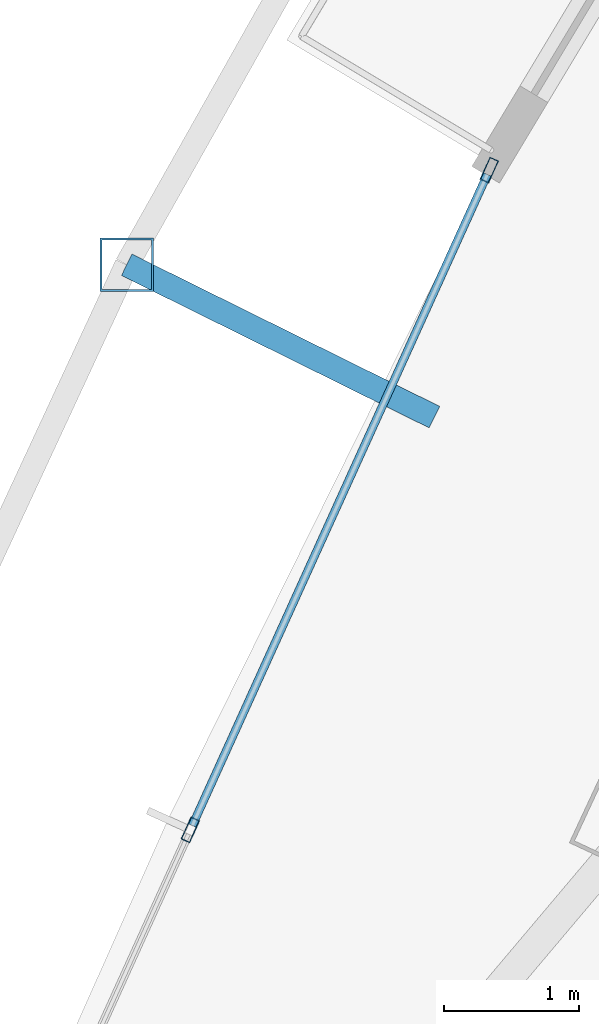
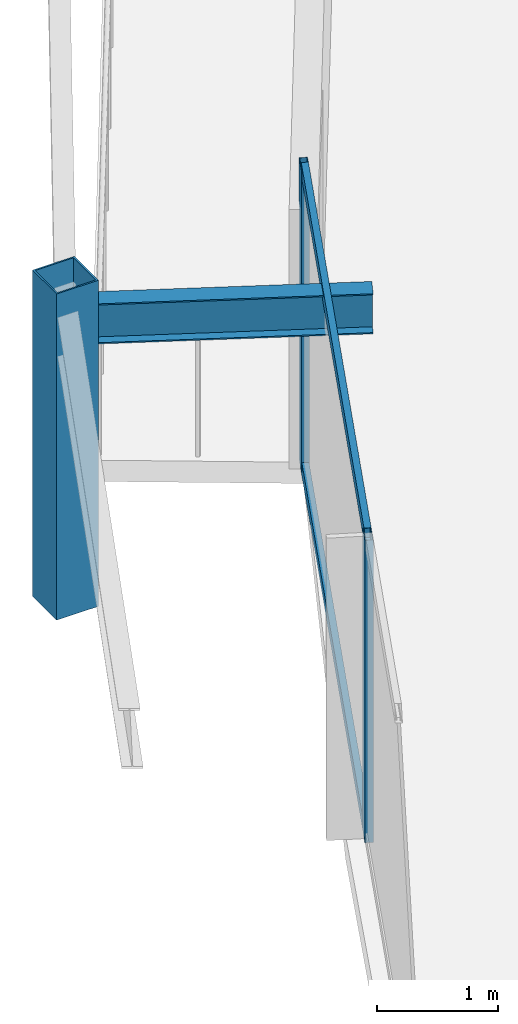
# One storey, part 10 of 29: 5 members, 1 beam, 1 element without a shape of its own.
"""IFC4 building model written with IfcOpenShell, lengths in metres."""

from ifc_helpers import new_model, si_unit, direction, frame, origin, origin_2d, place, context, subcontext, project, spatial, hollow_rectangle, i_section, extrude, material, layer, layer_set, material_profile, profile_set, type_object, element, aggregate, save


model = new_model("IFC4")

# Units and contexts
model_context = context("Model", 3, precision=1e-05, world=origin(), true_north=direction((0.0, 1.0)))
body_context = subcontext(model_context, "Body", "Model", "MODEL_VIEW")
ifc_project = project(units=[si_unit("LENGTHUNIT", "METRE"), si_unit("AREAUNIT", "SQUARE_METRE"), si_unit("VOLUMEUNIT", "CUBIC_METRE"), si_unit("PLANEANGLEUNIT", "RADIAN"), si_unit("MASSUNIT", "GRAM", prefix="KILO")], contexts=[model_context])

# Site, building, storey
site_placement = place(None, origin())
site = spatial("IfcSite", under=ifc_project, at=site_placement, CompositionType="ELEMENT")
building_placement = place(site_placement, origin())
building = spatial("IfcBuilding", under=site, at=building_placement, Name="Orvanel Arch Residences", CompositionType="ELEMENT")
storey_placement = place(building_placement, frame((0.0, 0.0, 170.449951171875)))
storey = spatial("IfcBuildingStorey", under=building, at=storey_placement, Name="L48", CompositionType="ELEMENT", Elevation=170.449951171875)

# Curtain wall, members
ifc_material_1 = material(Name="Bronze-anodised aluminium AA6063-T6", Category="aluminium")
ifc_layer = layer(ifc_material_1, 0.179931640625)
ifc_layer_set = layer_set([ifc_layer], Name="Bronze-anodised aluminium AA6063-T6")
curtain_wall_type = type_object("IfcCurtainWallType", Name="CW3-MID-SYS", PredefinedType="NOTDEFINED", material=ifc_layer_set)
curtain_wall_placement = place(storey_placement, origin())
curtain_wall = element("IfcCurtainWall", 1, at=curtain_wall_placement, inside=storey, type_object=curtain_wall_type, Name="L48 CW3-MID-SYS Unitised Curtain Wall", PredefinedType="NOTDEFINED")
ifc_material_profile_1 = material_profile(ifc_material_1, hollow_rectangle(XDim=0.070068359375, YDim=0.179931640625, WallThickness=0.00439453125, at=origin_2d()), Name="ALU180x70x4.5")
ifc_profile_set_1 = profile_set([ifc_material_profile_1], Name="Bronze-anodised aluminium AA6063-T6")
member_type_1 = type_object("IfcMemberType", Name="MUL-180x70", PredefinedType="MULLION", material=ifc_profile_set_1)
member_1_placement = place(storey_placement, frame((15.20751953125, 24.43115234375, 0.0), z_axis=(0.0, 0.0, 1.0), x_axis=(0.910855054441, -0.412726386119, 0.0)))
member_1 = element("IfcMember", 2, at=member_1_placement, type_object=member_type_1, Name="CW-S3 mullion 1", PredefinedType="MULLION", context=body_context, shape_type="SweptSolid", body=[
    extrude(hollow_rectangle(XDim=0.070068359375, YDim=0.179931640625, WallThickness=0.00439453125, at=origin_2d()), origin(), (0.0, 0.0, 1.0), 3.06005859375),
])
member_2_placement = place(storey_placement, frame((12.987548828125, 19.531982421875, 0.0), z_axis=(0.0, 0.0, 1.0), x_axis=(0.910855054441, -0.412726386119, 0.0)))
member_2 = element("IfcMember", 3, at=member_2_placement, type_object=member_type_1, Name="CW-S3 mullion 2", PredefinedType="MULLION", context=body_context, shape_type="SweptSolid", body=[
    extrude(hollow_rectangle(XDim=0.070068359375, YDim=0.179931640625, WallThickness=0.00439453125, at=origin_2d()), origin(), (0.0, 0.0, 1.0), 3.06005859375),
])

# Beam
ifc_material_2 = material(Name="Structural steel AS/NZS 3679.1 Grade 300 (300 MPa)", Category="steel")
ifc_material_profile_2 = material_profile(ifc_material_2, i_section(OverallWidth=0.177978515625, OverallDepth=0.406005859375, WebThickness=0.0078125, FlangeThickness=0.0126953125, at=origin_2d()), Name="410UB59.7")
ifc_profile_set_2 = profile_set([ifc_material_profile_2], Name="Structural steel AS/NZS 3679.1 Grade 300 (300 MPa)")
beam_type = type_object("IfcBeamType", Name="OB-410UB-EXT", PredefinedType="SPANDREL", material=ifc_profile_set_2)
beam_placement = place(storey_placement, frame((14.800048828125, 22.596923828125, 2.85693359375), z_axis=(-0.896220045396, 0.44360977247, 0.0), x_axis=(-0.44360977247, -0.896220045396, 0.0)))
element("IfcBeam", 4, at=beam_placement, inside=storey, type_object=beam_type, Name="L48 Outer Frame Radial Tie Beam 03", PredefinedType="SPANDREL", context=body_context, shape_type="SweptSolid", body=[
    extrude(i_section(OverallWidth=0.177978515625, OverallDepth=0.406005859375, WebThickness=0.0078125, FlangeThickness=0.0126953125, at=origin_2d()), origin(), (0.0, 0.0, 1.0), 2.5498046875),
])

# Member
ifc_material_3 = material(Name="Structural steel AS/NZS 1163 C450L0 (Grade 450)", Category="steel")
ifc_material_profile_3 = material_profile(ifc_material_3, hollow_rectangle(XDim=0.39990234375, YDim=0.39990234375, WallThickness=0.01611328125, at=origin_2d()), Name="SHS400x400x16")
ifc_profile_set_3 = profile_set([ifc_material_profile_3], Name="Structural steel AS/NZS 1163 C450L0 (Grade 450)")
member_type_2 = type_object("IfcMemberType", Name="ST-400SHS-EXT", PredefinedType="STRUT", material=ifc_profile_set_3)
member_3_placement = place(storey_placement, frame((12.514892578125, 23.72802734375, 0.0), z_axis=(0.0, 0.0, 1.0), x_axis=(1.0, 0.0, 0.0)))
element("IfcMember", 5, at=member_3_placement, inside=storey, type_object=member_type_2, Name="L48 Outer Perimeter Frame Post 03", PredefinedType="STRUT", context=body_context, shape_type="SweptSolid", body=[
    extrude(hollow_rectangle(XDim=0.39990234375, YDim=0.39990234375, WallThickness=0.01611328125, at=origin_2d()), origin(), (0.0, 0.0, 1.0), 3.300048828125),
])

ifc_material_profile_4 = material_profile(ifc_material_1, hollow_rectangle(XDim=0.06005859375, YDim=0.135009765625, WallThickness=0.00390625, at=origin_2d()), Name="ALU135x60x4")
ifc_profile_set_4 = profile_set([ifc_material_profile_4], Name="Bronze-anodised aluminium AA6063-T6")
member_type_3 = type_object("IfcMemberType", Name="TRN-135x60", PredefinedType="USERDEFINED", material=ifc_profile_set_4)
member_4_placement = place(storey_placement, frame((15.193115234375, 24.399169921875, 0.030029296875), z_axis=(-0.412725011307, -0.910855677394, 0.0), x_axis=(0.910855677394, -0.412725011307, 0.0)))
member_4 = element("IfcMember", 6, at=member_4_placement, type_object=member_type_3, Name="CW-S3 transom 1.1", ObjectType="TRANSOM", PredefinedType="USERDEFINED", context=body_context, shape_type="SweptSolid", body=[
    extrude(hollow_rectangle(XDim=0.06005859375, YDim=0.135009765625, WallThickness=0.00390625, at=origin_2d()), origin(), (0.0, 0.0, 1.0), 5.308349609375),
])

member_5_placement = place(storey_placement, frame((15.193115234375, 24.399169921875, 3.030029296875), z_axis=(-0.412725011307, -0.910855677394, 0.0), x_axis=(0.910855677394, -0.412725011307, 0.0)))
member_5 = element("IfcMember", 7, at=member_5_placement, type_object=member_type_3, Name="CW-S3 transom 1.2", ObjectType="TRANSOM", PredefinedType="USERDEFINED", context=body_context, shape_type="SweptSolid", body=[
    extrude(hollow_rectangle(XDim=0.06005859375, YDim=0.135009765625, WallThickness=0.00390625, at=origin_2d()), origin(), (0.0, 0.0, 1.0), 5.308349609375),
])

aggregate(curtain_wall, [member_1, member_2, member_4, member_5])

save(model, "model.ifc")
